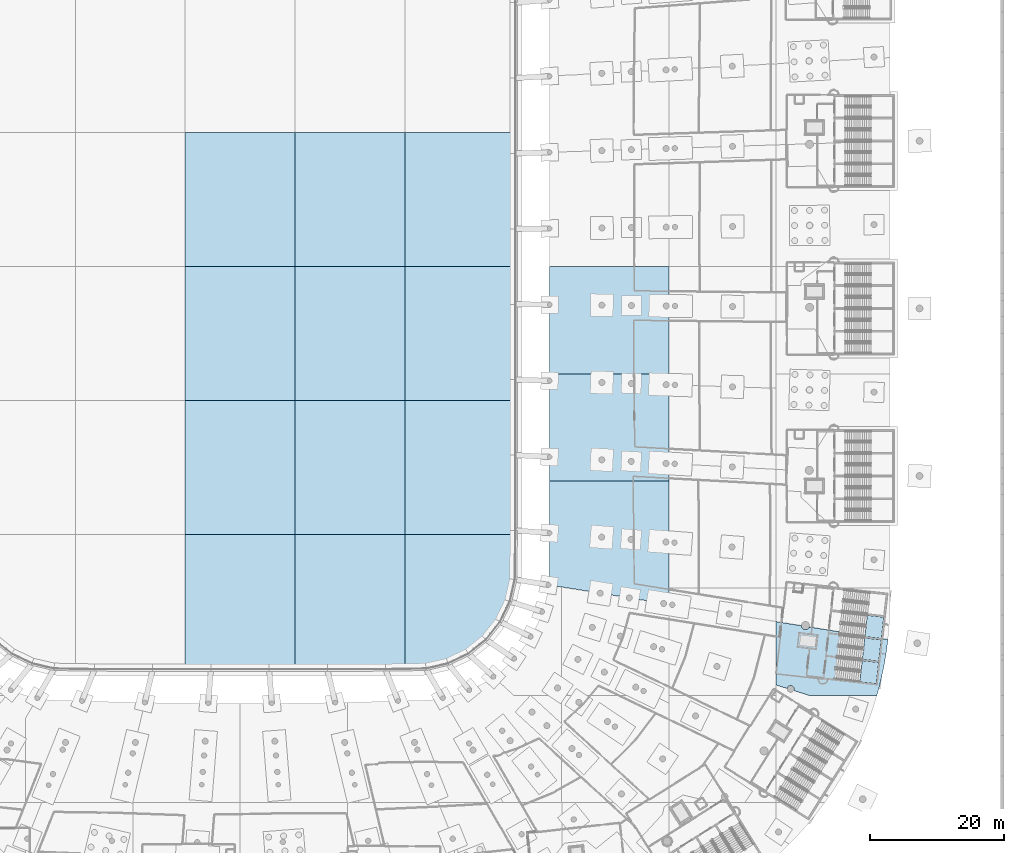
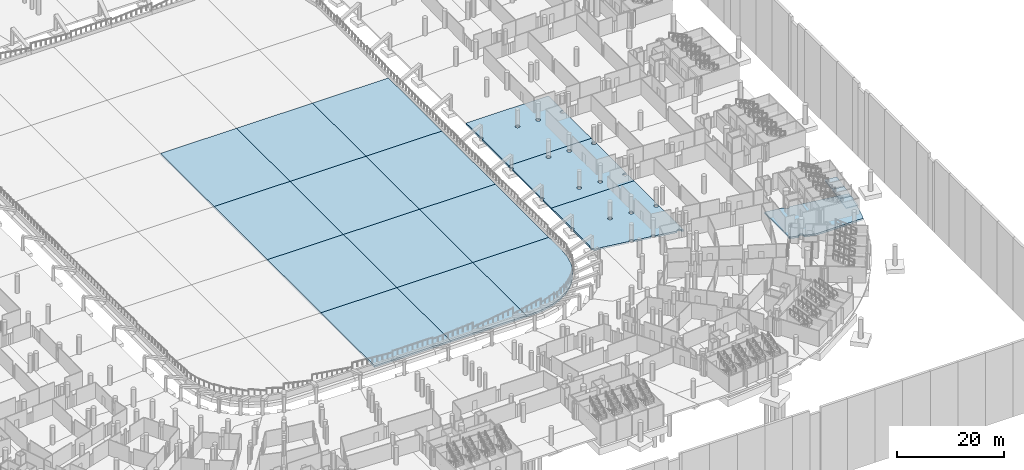
# One storey, part 23 of 142: 19 slabs, 3 elements without a shape of their own.
"""IFC4 building model written with IfcOpenShell, lengths in metres."""

from ifc_helpers import new_model, si_unit, direction, frame, origin, place, context, subcontext, project, spatial, polyline, outline, extrude, material, layer, layer_set, type_object, element, aggregate, save


model = new_model("IFC4")

# Units and contexts
model_context = context("Model", 3, precision=1e-05, world=origin(), true_north=direction((0.0, 1.0)))
body_context = subcontext(model_context, "Body", "Model", "MODEL_VIEW")
ifc_project = project(units=[si_unit("LENGTHUNIT", "METRE"), si_unit("AREAUNIT", "SQUARE_METRE"), si_unit("VOLUMEUNIT", "CUBIC_METRE"), si_unit("PLANEANGLEUNIT", "RADIAN"), si_unit("MASSUNIT", "GRAM", prefix="KILO")], contexts=[model_context])

# Site, building, storey
site_placement = place(None, origin())
site = spatial("IfcSite", under=ifc_project, at=site_placement, CompositionType="ELEMENT")
building_placement = place(site_placement, origin())
building = spatial("IfcBuilding", under=site, at=building_placement, Name="Meseta Stadium", CompositionType="ELEMENT")
storey_placement = place(building_placement, frame((0.0, 0.0, -4.0)))
storey = spatial("IfcBuildingStorey", under=building, at=storey_placement, Name="B1", CompositionType="ELEMENT", Elevation=-4.0)

# Slabs
ifc_material_1 = material(Name="Concrete C30/37", Category="concrete")
ifc_layer_1 = layer(ifc_material_1, 0.39990234375)
ifc_layer_set_1 = layer_set([ifc_layer_1], Name="Base slab 400")
slab_type_1 = type_object("IfcSlabType", Name="Base slab 400", PredefinedType="BASESLAB", material=ifc_layer_set_1)
slab_1_placement = place(storey_placement, frame((0.0, 0.0, -0.39990234375)))
element("IfcSlab", 1, at=slab_1_placement, inside=storey, type_object=slab_type_1, Name="Base slab B1 sector 00 panel 01", PredefinedType="BASESLAB", context=body_context, shape_type="SweptSolid", body=[
    extrude(outline(polyline([(46.51708984375, -28.275146484375), (46.537109375, -28.341064453125), (46.5439453125, -28.40966796875), (46.537109375, -28.478271484375), (46.51708984375, -28.544189453125), (46.484619140625, -28.60498046875), (46.44091796875, -28.658203125), (46.3876953125, -28.7021484375), (46.326904296875, -28.734619140625), (46.2607421875, -28.754638671875), (46.19189453125, -28.76123046875), (46.190185546875, -32.0), (64.0, -32.0), (64.0, -29.482177734375), (63.98388671875, -29.53515625), (63.942138671875, -29.61328125), (63.8857421875, -29.681884765625), (63.8173828125, -29.738037109375), (63.7392578125, -29.77978515625), (63.654296875, -29.8056640625), (63.566162109375, -29.814453125), (63.477783203125, -29.8056640625), (63.39306640625, -29.77978515625), (63.31494140625, -29.738037109375), (63.246337890625, -29.681884765625), (63.190185546875, -29.61328125), (63.1484375, -29.53515625), (63.12255859375, -29.450439453125), (63.114013671875, -29.3623046875), (63.12255859375, -29.27392578125), (63.1484375, -29.189208984375), (63.190185546875, -29.111083984375), (63.246337890625, -29.04248046875), (63.31494140625, -28.986083984375), (63.39306640625, -28.9443359375), (63.477783203125, -28.918701171875), (63.566162109375, -28.909912109375), (63.654296875, -28.918701171875), (63.7392578125, -28.9443359375), (63.8173828125, -28.986083984375), (63.8857421875, -29.04248046875), (63.942138671875, -29.111083984375), (63.98388671875, -29.189208984375), (64.0, -29.2421875), (64.0, -17.801513671875), (63.9638671875, -17.869140625), (63.907470703125, -17.937744140625), (63.839111328125, -17.993896484375), (63.7607421875, -18.035888671875), (63.676025390625, -18.0615234375), (63.587890625, -18.0703125), (63.49951171875, -18.0615234375), (63.414794921875, -18.035888671875), (63.336669921875, -17.993896484375), (63.26806640625, -17.937744140625), (63.2119140625, -17.869140625), (63.169921875, -17.791015625), (63.144287109375, -17.706298828125), (63.135498046875, -17.617919921875), (63.144287109375, -17.52978515625), (63.169921875, -17.445068359375), (63.2119140625, -17.36669921875), (63.26806640625, -17.29833984375), (63.336669921875, -17.241943359375), (63.414794921875, -17.2001953125), (63.49951171875, -17.174560546875), (63.587890625, -17.165771484375), (63.676025390625, -17.174560546875), (63.7607421875, -17.2001953125), (63.839111328125, -17.241943359375), (63.907470703125, -17.29833984375), (63.9638671875, -17.36669921875), (64.0, -17.434814453125), (64.0, -16.0), (46.197509765625, -16.0), (46.197265625, -16.6943359375), (46.265869140625, -16.700927734375), (46.331787109375, -16.720947265625), (46.392578125, -16.75341796875), (46.44580078125, -16.79736328125), (46.489501953125, -16.8505859375), (46.522216796875, -16.911376953125), (46.5419921875, -16.977294921875), (46.548828125, -17.0458984375), (46.5419921875, -17.114501953125), (46.522216796875, -17.180419921875), (46.489501953125, -17.241455078125), (46.44580078125, -17.294677734375), (46.392578125, -17.33837890625), (46.331787109375, -17.370849609375), (46.265869140625, -17.390869140625), (46.197021484375, -17.397705078125), (46.1923828125, -28.05810546875), (46.2607421875, -28.064697265625), (46.326904296875, -28.084716796875), (46.3876953125, -28.1171875), (46.44091796875, -28.160888671875), (46.484619140625, -28.21435546875), (46.51708984375, -28.275146484375)]), holes=[polyline([(53.549560546875, -17.390625), (53.540771484375, -17.302490234375), (53.549560546875, -17.214111328125), (53.5751953125, -17.12939453125), (53.616943359375, -17.05126953125), (53.673095703125, -16.982666015625), (53.74169921875, -16.926513671875), (53.81982421875, -16.884521484375), (53.90478515625, -16.85888671875), (53.992919921875, -16.85009765625), (54.081298828125, -16.85888671875), (54.166015625, -16.884521484375), (54.244140625, -16.926513671875), (54.312744140625, -16.982666015625), (54.368896484375, -17.05126953125), (54.41064453125, -17.12939453125), (54.4365234375, -17.214111328125), (54.445068359375, -17.302490234375), (54.4365234375, -17.390625), (54.41064453125, -17.475341796875), (54.368896484375, -17.5537109375), (54.312744140625, -17.6220703125), (54.244140625, -17.678466796875), (54.166015625, -17.72021484375), (54.081298828125, -17.745849609375), (53.992919921875, -17.754638671875), (53.90478515625, -17.745849609375), (53.81982421875, -17.72021484375), (53.74169921875, -17.678466796875), (53.673095703125, -17.6220703125), (53.616943359375, -17.5537109375), (53.5751953125, -17.475341796875), (53.549560546875, -17.390625)]), polyline([(57.947021484375, -17.535400390625), (57.9384765625, -17.447021484375), (57.947021484375, -17.35888671875), (57.972900390625, -17.27392578125), (58.0146484375, -17.19580078125), (58.07080078125, -17.127197265625), (58.139404296875, -17.071044921875), (58.217529296875, -17.029296875), (58.302490234375, -17.003662109375), (58.390625, -16.994873046875), (58.478759765625, -17.003662109375), (58.563720703125, -17.029296875), (58.641845703125, -17.071044921875), (58.710205078125, -17.127197265625), (58.7666015625, -17.19580078125), (58.808349609375, -17.27392578125), (58.833984375, -17.35888671875), (58.8427734375, -17.447021484375), (58.833984375, -17.535400390625), (58.808349609375, -17.6201171875), (58.7666015625, -17.6982421875), (58.710205078125, -17.766845703125), (58.641845703125, -17.822998046875), (58.563720703125, -17.86474609375), (58.478759765625, -17.890380859375), (58.390625, -17.899169921875), (58.302490234375, -17.890380859375), (58.217529296875, -17.86474609375), (58.139404296875, -17.822998046875), (58.07080078125, -17.766845703125), (58.0146484375, -17.6982421875), (57.972900390625, -17.6201171875), (57.947021484375, -17.535400390625)]), polyline([(53.6044921875, -29.087890625), (53.562744140625, -29.009765625), (53.537109375, -28.9248046875), (53.5283203125, -28.836669921875), (53.537109375, -28.748291015625), (53.562744140625, -28.66357421875), (53.6044921875, -28.58544921875), (53.660888671875, -28.516845703125), (53.729248046875, -28.460693359375), (53.8076171875, -28.4189453125), (53.892333984375, -28.393310546875), (53.98046875, -28.384521484375), (54.068603515625, -28.393310546875), (54.153564453125, -28.4189453125), (54.231689453125, -28.460693359375), (54.30029296875, -28.516845703125), (54.3564453125, -28.58544921875), (54.398193359375, -28.66357421875), (54.424072265625, -28.748291015625), (54.4326171875, -28.836669921875), (54.424072265625, -28.9248046875), (54.398193359375, -29.009765625), (54.3564453125, -29.087890625), (54.30029296875, -29.156494140625), (54.231689453125, -29.212646484375), (54.153564453125, -29.25439453125), (54.068603515625, -29.280029296875), (53.98046875, -29.288818359375), (53.892333984375, -29.280029296875), (53.8076171875, -29.25439453125), (53.729248046875, -29.212646484375), (53.660888671875, -29.156494140625), (53.6044921875, -29.087890625)]), polyline([(57.997802734375, -29.32861328125), (57.956298828125, -29.25048828125), (57.930419921875, -29.165771484375), (57.921630859375, -29.077392578125), (57.930419921875, -28.9892578125), (57.956298828125, -28.904541015625), (57.997802734375, -28.826416015625), (58.05419921875, -28.7578125), (58.122802734375, -28.701416015625), (58.200927734375, -28.659912109375), (58.28564453125, -28.634033203125), (58.373779296875, -28.625244140625), (58.462158203125, -28.634033203125), (58.546875, -28.659912109375), (58.625, -28.701416015625), (58.693603515625, -28.7578125), (58.75, -28.826416015625), (58.791748046875, -28.904541015625), (58.8173828125, -28.9892578125), (58.826171875, -29.077392578125), (58.8173828125, -29.165771484375), (58.791748046875, -29.25048828125), (58.75, -29.32861328125), (58.693603515625, -29.397216796875), (58.625, -29.45361328125), (58.546875, -29.495361328125), (58.462158203125, -29.52099609375), (58.373779296875, -29.52978515625), (58.28564453125, -29.52099609375), (58.200927734375, -29.495361328125), (58.122802734375, -29.45361328125), (58.05419921875, -29.397216796875), (57.997802734375, -29.32861328125)])]), origin(), (0.0, 0.0, 1.0), 0.39990234375),
])
slab_2_placement = place(storey_placement, frame((0.0, 0.0, -0.39990234375)))
element("IfcSlab", 2, at=slab_2_placement, inside=storey, type_object=slab_type_1, Name="Base slab B1 sector 00 panel 02", PredefinedType="BASESLAB", context=body_context, shape_type="SweptSolid", body=[
    extrude(outline(polyline([(46.524658203125, -5.816650390625), (46.4921875, -5.87744140625), (46.448486328125, -5.9306640625), (46.39501953125, -5.974365234375), (46.334228515625, -6.0068359375), (46.268310546875, -6.02685546875), (46.19970703125, -6.03369140625), (46.197509765625, -16.0), (64.0, -16.0), (64.0, -6.076416015625), (63.974609375, -6.1240234375), (63.91845703125, -6.1923828125), (63.849853515625, -6.248779296875), (63.771728515625, -6.29052734375), (63.68701171875, -6.31640625), (63.5986328125, -6.324951171875), (63.510498046875, -6.31640625), (63.425537109375, -6.29052734375), (63.347412109375, -6.248779296875), (63.27880859375, -6.1923828125), (63.22265625, -6.1240234375), (63.180908203125, -6.0458984375), (63.1552734375, -5.9609375), (63.146484375, -5.872802734375), (63.1552734375, -5.78466796875), (63.180908203125, -5.69970703125), (63.22265625, -5.62158203125), (63.27880859375, -5.552978515625), (63.347412109375, -5.496826171875), (63.425537109375, -5.455078125), (63.510498046875, -5.42919921875), (63.5986328125, -5.420654296875), (63.68701171875, -5.42919921875), (63.771728515625, -5.455078125), (63.849853515625, -5.496826171875), (63.91845703125, -5.552978515625), (63.974609375, -5.62158203125), (64.0, -5.669189453125), (64.0, 0.0), (46.199951171875, 0.0), (46.19970703125, -5.330322265625), (46.268310546875, -5.337158203125), (46.334228515625, -5.357177734375), (46.39501953125, -5.3896484375), (46.448486328125, -5.433349609375), (46.4921875, -5.486572265625), (46.524658203125, -5.54736328125), (46.544677734375, -5.61328125), (46.551025390625, -5.685791015625), (46.544677734375, -5.75048828125), (46.524658203125, -5.816650390625)]), holes=[polyline([(53.5556640625, -5.855712890625), (53.547119140625, -5.767578125), (53.5556640625, -5.67919921875), (53.58154296875, -5.594482421875), (53.623291015625, -5.516357421875), (53.679443359375, -5.44775390625), (53.748046875, -5.3916015625), (53.826171875, -5.349853515625), (53.910888671875, -5.323974609375), (53.999267578125, -5.3154296875), (54.08740234375, -5.323974609375), (54.17236328125, -5.349853515625), (54.25048828125, -5.3916015625), (54.319091796875, -5.44775390625), (54.375244140625, -5.516357421875), (54.4169921875, -5.594482421875), (54.442626953125, -5.67919921875), (54.451416015625, -5.767578125), (54.442626953125, -5.855712890625), (54.4169921875, -5.940673828125), (54.375244140625, -6.018798828125), (54.319091796875, -6.08740234375), (54.25048828125, -6.1435546875), (54.17236328125, -6.185302734375), (54.08740234375, -6.2109375), (53.999267578125, -6.2197265625), (53.910888671875, -6.2109375), (53.826171875, -6.185302734375), (53.748046875, -6.1435546875), (53.679443359375, -6.08740234375), (53.623291015625, -6.018798828125), (53.58154296875, -5.940673828125), (53.5556640625, -5.855712890625)]), polyline([(57.95556640625, -5.904052734375), (57.94677734375, -5.81591796875), (57.95556640625, -5.7275390625), (57.981201171875, -5.642578125), (58.02294921875, -5.564697265625), (58.0791015625, -5.49609375), (58.147705078125, -5.439697265625), (58.225830078125, -5.39794921875), (58.310791015625, -5.372314453125), (58.39892578125, -5.363525390625), (58.4873046875, -5.372314453125), (58.572021484375, -5.39794921875), (58.650146484375, -5.439697265625), (58.71875, -5.49609375), (58.77490234375, -5.564697265625), (58.816650390625, -5.642578125), (58.84228515625, -5.7275390625), (58.85107421875, -5.81591796875), (58.84228515625, -5.904052734375), (58.816650390625, -5.98876953125), (58.77490234375, -6.06689453125), (58.71875, -6.135498046875), (58.650146484375, -6.191650390625), (58.572021484375, -6.2333984375), (58.4873046875, -6.25927734375), (58.39892578125, -6.26806640625), (58.310791015625, -6.25927734375), (58.225830078125, -6.2333984375), (58.147705078125, -6.191650390625), (58.0791015625, -6.135498046875), (58.02294921875, -6.06689453125), (57.981201171875, -5.98876953125), (57.95556640625, -5.904052734375)])]), origin(), (0.0, 0.0, 1.0), 0.39990234375),
])
slab_3_placement = place(storey_placement, frame((0.0, 0.0, -0.39990234375)))
element("IfcSlab", 3, at=slab_3_placement, inside=storey, type_object=slab_type_1, Name="Base slab B1 sector 00 panel 05", PredefinedType="BASESLAB", context=body_context, shape_type="SweptSolid", body=[
    extrude(outline(polyline([(46.07568359375, -47.158203125), (46.108154296875, -47.161376953125), (46.174072265625, -47.181396484375), (46.23486328125, -47.2138671875), (46.2880859375, -47.257568359375), (46.331787109375, -47.310791015625), (46.364501953125, -47.37158203125), (46.384521484375, -47.437744140625), (46.39111328125, -47.50634765625), (46.38671875, -47.552001953125), (53.296142578125, -48.664794921875), (53.296875, -48.658203125), (53.322509765625, -48.573486328125), (53.3642578125, -48.495361328125), (53.420654296875, -48.4267578125), (53.489013671875, -48.37060546875), (53.5673828125, -48.328857421875), (53.652099609375, -48.302978515625), (53.740234375, -48.29443359375), (53.82861328125, -48.302978515625), (53.913330078125, -48.328857421875), (53.991455078125, -48.37060546875), (54.06005859375, -48.4267578125), (54.1162109375, -48.495361328125), (54.157958984375, -48.573486328125), (54.183837890625, -48.658203125), (54.1923828125, -48.74658203125), (54.186279296875, -48.808349609375), (57.64013671875, -49.364501953125), (57.640869140625, -49.35791015625), (57.66650390625, -49.273193359375), (57.708251953125, -49.195068359375), (57.7646484375, -49.12646484375), (57.8330078125, -49.0703125), (57.911376953125, -49.0283203125), (57.99609375, -49.002685546875), (58.084228515625, -48.993896484375), (58.172607421875, -49.002685546875), (58.25732421875, -49.0283203125), (58.33544921875, -49.0703125), (58.404052734375, -49.12646484375), (58.460205078125, -49.195068359375), (58.502197265625, -49.273193359375), (58.52783203125, -49.35791015625), (58.53662109375, -49.4462890625), (58.530517578125, -49.5078125), (62.77392578125, -50.19140625), (62.774658203125, -50.184814453125), (62.80029296875, -50.10009765625), (62.84228515625, -50.021728515625), (62.8984375, -49.953369140625), (62.966796875, -49.89697265625), (63.045166015625, -49.855224609375), (63.1298828125, -49.82958984375), (63.21826171875, -49.82080078125), (63.306396484375, -49.82958984375), (63.39111328125, -49.855224609375), (63.469482421875, -49.89697265625), (63.537841796875, -49.953369140625), (63.593994140625, -50.021728515625), (63.635986328125, -50.10009765625), (63.66162109375, -50.184814453125), (63.67041015625, -50.27294921875), (63.664306640625, -50.334716796875), (64.0, -50.388916015625), (64.0, -32.0), (46.190185546875, -32.0), (46.18505859375, -39.42138671875), (46.25341796875, -39.427978515625), (46.3193359375, -39.447998046875), (46.380126953125, -39.48046875), (46.433349609375, -39.5244140625), (46.477294921875, -39.57763671875), (46.509765625, -39.638427734375), (46.52978515625, -39.704345703125), (46.536376953125, -39.77294921875), (46.52978515625, -39.841552734375), (46.509765625, -39.907470703125), (46.477294921875, -39.96826171875), (46.433349609375, -40.021484375), (46.380126953125, -40.0654296875), (46.3193359375, -40.097900390625), (46.25341796875, -40.117919921875), (46.1845703125, -40.12451171875), (46.18017578125, -45.454345703125), (46.1572265625, -46.139892578125), (46.1103515625, -46.82421875), (46.07568359375, -47.158203125)]), holes=[polyline([(53.5859375, -40.62109375), (53.544189453125, -40.54296875), (53.518310546875, -40.4580078125), (53.509765625, -40.369873046875), (53.518310546875, -40.28173828125), (53.544189453125, -40.19677734375), (53.5859375, -40.11865234375), (53.64208984375, -40.050048828125), (53.710693359375, -39.993896484375), (53.788818359375, -39.9521484375), (53.873779296875, -39.926513671875), (53.9619140625, -39.917724609375), (54.050048828125, -39.926513671875), (54.135009765625, -39.9521484375), (54.213134765625, -39.993896484375), (54.281494140625, -40.050048828125), (54.337890625, -40.11865234375), (54.379638671875, -40.19677734375), (54.405517578125, -40.28173828125), (54.4140625, -40.369873046875), (54.405517578125, -40.4580078125), (54.379638671875, -40.54296875), (54.337890625, -40.62109375), (54.281494140625, -40.689697265625), (54.213134765625, -40.745849609375), (54.135009765625, -40.78759765625), (54.050048828125, -40.8134765625), (53.9619140625, -40.822021484375), (53.873779296875, -40.8134765625), (53.788818359375, -40.78759765625), (53.710693359375, -40.745849609375), (53.64208984375, -40.689697265625), (53.5859375, -40.62109375)]), polyline([(57.972900390625, -40.957763671875), (57.93115234375, -40.879638671875), (57.905517578125, -40.794921875), (57.896728515625, -40.70654296875), (57.905517578125, -40.618408203125), (57.93115234375, -40.53369140625), (57.972900390625, -40.455322265625), (58.029296875, -40.386962890625), (58.097900390625, -40.33056640625), (58.17578125, -40.288818359375), (58.2607421875, -40.26318359375), (58.34912109375, -40.25439453125), (58.437255859375, -40.26318359375), (58.52197265625, -40.288818359375), (58.60009765625, -40.33056640625), (58.668701171875, -40.386962890625), (58.724853515625, -40.455322265625), (58.7666015625, -40.53369140625), (58.79248046875, -40.618408203125), (58.801025390625, -40.70654296875), (58.79248046875, -40.794921875), (58.7666015625, -40.879638671875), (58.724853515625, -40.957763671875), (58.668701171875, -41.0263671875), (58.60009765625, -41.08251953125), (58.52197265625, -41.12451171875), (58.437255859375, -41.150146484375), (58.34912109375, -41.15869140625), (58.2607421875, -41.150146484375), (58.17578125, -41.12451171875), (58.097900390625, -41.08251953125), (58.029296875, -41.0263671875), (57.972900390625, -40.957763671875)]), polyline([(63.15771484375, -41.355712890625), (63.115966796875, -41.277587890625), (63.090087890625, -41.19287109375), (63.08154296875, -41.1044921875), (63.090087890625, -41.016357421875), (63.115966796875, -40.931396484375), (63.15771484375, -40.853271484375), (63.214111328125, -40.784912109375), (63.282470703125, -40.728515625), (63.360595703125, -40.686767578125), (63.445556640625, -40.6611328125), (63.53369140625, -40.65234375), (63.621826171875, -40.6611328125), (63.706787109375, -40.686767578125), (63.784912109375, -40.728515625), (63.853515625, -40.784912109375), (63.90966796875, -40.853271484375), (63.951416015625, -40.931396484375), (63.977294921875, -41.016357421875), (63.98583984375, -41.1044921875), (63.977294921875, -41.19287109375), (63.951416015625, -41.277587890625), (63.90966796875, -41.355712890625), (63.853515625, -41.42431640625), (63.784912109375, -41.48046875), (63.706787109375, -41.522216796875), (63.621826171875, -41.548095703125), (63.53369140625, -41.556640625), (63.445556640625, -41.548095703125), (63.360595703125, -41.522216796875), (63.282470703125, -41.48046875), (63.214111328125, -41.42431640625), (63.15771484375, -41.355712890625)])]), origin(), (0.0, 0.0, 1.0), 0.39990234375),
])
slab_4_placement = place(storey_placement, frame((0.0, 0.0, -0.39990234375)))
element("IfcSlab", 4, at=slab_4_placement, inside=storey, type_object=slab_type_1, Name="Base slab B1 sector 49 panel 15", PredefinedType="BASESLAB", context=body_context, shape_type="SweptSolid", body=[
    extrude(outline(polyline([(83.862060546875, -53.900390625), (83.806396484375, -53.796142578125), (83.77197265625, -53.68310546875), (83.76318359375, -53.592041015625), (80.0, -52.98583984375), (80.0, -62.44580078125), (81.673095703125, -62.970458984375), (81.676513671875, -62.935791015625), (81.704833984375, -62.841552734375), (81.75146484375, -62.754638671875), (81.81396484375, -62.678466796875), (81.889892578125, -62.6162109375), (81.976806640625, -62.569580078125), (82.071044921875, -62.541015625), (82.169189453125, -62.531494140625), (82.26708984375, -62.541015625), (82.361328125, -62.569580078125), (82.4482421875, -62.6162109375), (82.5244140625, -62.678466796875), (82.5869140625, -62.754638671875), (82.63330078125, -62.841552734375), (82.661865234375, -62.935791015625), (82.67138671875, -63.03369140625), (82.661865234375, -63.1318359375), (82.63330078125, -63.22607421875), (82.612548828125, -63.264892578125), (84.956787109375, -64.0), (95.03173828125, -64.0), (95.2607421875, -63.20556640625), (95.722900390625, -61.34130859375), (96.114990234375, -59.461181640625), (96.43603515625, -57.5673828125), (96.6845703125, -55.673095703125), (84.925537109375, -53.779296875), (84.92041015625, -53.796142578125), (84.864501953125, -53.900390625), (84.789794921875, -53.99169921875), (84.6982421875, -54.066650390625), (84.593994140625, -54.122314453125), (84.48095703125, -54.15673828125), (84.36328125, -54.168212890625), (84.24560546875, -54.15673828125), (84.132568359375, -54.122314453125), (84.0283203125, -54.066650390625), (83.93701171875, -53.99169921875), (83.862060546875, -53.900390625)])), origin(), (0.0, 0.0, 1.0), 0.39990234375),
])
ifc_material_2 = material(Name="Natural turf on sand and drainage layers")
ifc_layer_2 = layer(ifc_material_2, 0.39990234375)
ifc_layer_set_2 = layer_set([ifc_layer_2], Name="Pitch turf 400")
slab_type_2 = type_object("IfcSlabType", Name="Pitch turf 400", PredefinedType="BASESLAB", material=ifc_layer_set_2)
slab_5_placement = place(storey_placement, frame((0.0, 0.0, -0.39990234375)))
element("IfcSlab", 5, at=slab_5_placement, inside=storey, type_object=slab_type_2, Name="Playing pitch module 02", PredefinedType="BASESLAB", context=body_context, shape_type="SweptSolid", body=[
    extrude(outline(polyline([(-8.196044921875, -59.97998046875), (8.196044921875, -59.97998046875), (8.196044921875, -39.98681640625), (-8.196044921875, -39.98681640625), (-8.196044921875, -59.97998046875)])), origin(), (0.0, 0.0, 1.0), 0.39990234375),
])
slab_6_placement = place(storey_placement, frame((0.0, 0.0, -0.39990234375)))
element("IfcSlab", 6, at=slab_6_placement, inside=storey, type_object=slab_type_2, Name="Playing pitch module 03", PredefinedType="BASESLAB", context=body_context, shape_type="SweptSolid", body=[
    extrude(outline(polyline([(8.196044921875, -59.97998046875), (24.587890625, -59.97998046875), (24.587890625, -39.98681640625), (8.196044921875, -39.98681640625), (8.196044921875, -59.97998046875)])), origin(), (0.0, 0.0, 1.0), 0.39990234375),
])
slab_7_placement = place(storey_placement, frame((0.0, 0.0, -0.39990234375)))
element("IfcSlab", 7, at=slab_7_placement, inside=storey, type_object=slab_type_2, Name="Playing pitch module 05", PredefinedType="BASESLAB", context=body_context, shape_type="SweptSolid", body=[
    extrude(outline(polyline([(40.97998046875, -39.98681640625), (24.587890625, -39.98681640625), (24.587890625, -59.97998046875), (25.999267578125, -59.97998046875), (28.343505859375, -59.79541015625), (30.629150390625, -59.246826171875), (32.80078125, -58.34716796875), (34.804931640625, -57.118896484375), (36.59228515625, -55.59228515625), (38.118896484375, -53.804931640625), (39.34716796875, -51.80078125), (40.246826171875, -49.629150390625), (40.79541015625, -47.343505859375), (40.97998046875, -44.999267578125), (40.97998046875, -39.98681640625)])), origin(), (0.0, 0.0, 1.0), 0.39990234375),
])
slab_8_placement = place(storey_placement, frame((0.0, 0.0, -0.39990234375)))
element("IfcSlab", 8, at=slab_8_placement, inside=storey, type_object=slab_type_2, Name="Playing pitch module 08", PredefinedType="BASESLAB", context=body_context, shape_type="SweptSolid", body=[
    extrude(outline(polyline([(8.196044921875, -39.98681640625), (8.196044921875, -19.993408203125), (-8.196044921875, -19.993408203125), (-8.196044921875, -39.98681640625), (8.196044921875, -39.98681640625)])), origin(), (0.0, 0.0, 1.0), 0.39990234375),
])
slab_9_placement = place(storey_placement, frame((0.0, 0.0, -0.39990234375)))
element("IfcSlab", 9, at=slab_9_placement, inside=storey, type_object=slab_type_2, Name="Playing pitch module 09", PredefinedType="BASESLAB", context=body_context, shape_type="SweptSolid", body=[
    extrude(outline(polyline([(24.587890625, -39.98681640625), (24.587890625, -19.993408203125), (8.196044921875, -19.993408203125), (8.196044921875, -39.98681640625), (24.587890625, -39.98681640625)])), origin(), (0.0, 0.0, 1.0), 0.39990234375),
])
slab_10_placement = place(storey_placement, frame((0.0, 0.0, -0.39990234375)))
element("IfcSlab", 10, at=slab_10_placement, inside=storey, type_object=slab_type_2, Name="Playing pitch module 10", PredefinedType="BASESLAB", context=body_context, shape_type="SweptSolid", body=[
    extrude(outline(polyline([(40.97998046875, -19.993408203125), (24.587890625, -19.993408203125), (24.587890625, -39.98681640625), (40.97998046875, -39.98681640625), (40.97998046875, -19.993408203125)])), origin(), (0.0, 0.0, 1.0), 0.39990234375),
])
slab_11_placement = place(storey_placement, frame((0.0, 0.0, -0.39990234375)))
element("IfcSlab", 11, at=slab_11_placement, inside=storey, type_object=slab_type_2, Name="Playing pitch module 13", PredefinedType="BASESLAB", context=body_context, shape_type="SweptSolid", body=[
    extrude(outline(polyline([(8.196044921875, -19.993408203125), (8.196044921875, 0.0), (-8.196044921875, 0.0), (-8.196044921875, -19.993408203125), (8.196044921875, -19.993408203125)])), origin(), (0.0, 0.0, 1.0), 0.39990234375),
])
slab_12_placement = place(storey_placement, frame((0.0, 0.0, -0.39990234375)))
element("IfcSlab", 12, at=slab_12_placement, inside=storey, type_object=slab_type_2, Name="Playing pitch module 14", PredefinedType="BASESLAB", context=body_context, shape_type="SweptSolid", body=[
    extrude(outline(polyline([(24.587890625, -19.993408203125), (24.587890625, 0.0), (8.196044921875, 0.0), (8.196044921875, -19.993408203125), (24.587890625, -19.993408203125)])), origin(), (0.0, 0.0, 1.0), 0.39990234375),
])
slab_13_placement = place(storey_placement, frame((0.0, 0.0, -0.39990234375)))
element("IfcSlab", 13, at=slab_13_placement, inside=storey, type_object=slab_type_2, Name="Playing pitch module 15", PredefinedType="BASESLAB", context=body_context, shape_type="SweptSolid", body=[
    extrude(outline(polyline([(40.97998046875, 0.0), (24.587890625, 0.0), (24.587890625, -19.993408203125), (40.97998046875, -19.993408203125), (40.97998046875, 0.0)])), origin(), (0.0, 0.0, 1.0), 0.39990234375),
])
slab_14_placement = place(storey_placement, frame((0.0, 0.0, -0.39990234375)))
element("IfcSlab", 14, at=slab_14_placement, inside=storey, type_object=slab_type_2, Name="Playing pitch module 18", PredefinedType="BASESLAB", context=body_context, shape_type="SweptSolid", body=[
    extrude(outline(polyline([(8.196044921875, 0.0), (8.196044921875, 19.993408203125), (-8.196044921875, 19.993408203125), (-8.196044921875, 0.0), (8.196044921875, 0.0)])), origin(), (0.0, 0.0, 1.0), 0.39990234375),
])
slab_15_placement = place(storey_placement, frame((0.0, 0.0, -0.39990234375)))
element("IfcSlab", 15, at=slab_15_placement, inside=storey, type_object=slab_type_2, Name="Playing pitch module 19", PredefinedType="BASESLAB", context=body_context, shape_type="SweptSolid", body=[
    extrude(outline(polyline([(24.587890625, 0.0), (24.587890625, 19.993408203125), (8.196044921875, 19.993408203125), (8.196044921875, 0.0), (24.587890625, 0.0)])), origin(), (0.0, 0.0, 1.0), 0.39990234375),
])
slab_16_placement = place(storey_placement, frame((0.0, 0.0, -0.39990234375)))
element("IfcSlab", 16, at=slab_16_placement, inside=storey, type_object=slab_type_2, Name="Playing pitch module 20", PredefinedType="BASESLAB", context=body_context, shape_type="SweptSolid", body=[
    extrude(outline(polyline([(40.97998046875, 19.993408203125), (24.587890625, 19.993408203125), (24.587890625, 0.0), (40.97998046875, 0.0), (40.97998046875, 19.993408203125)])), origin(), (0.0, 0.0, 1.0), 0.39990234375),
])

# Stair, slab
ifc_material_3 = material(Name="Concrete C40/50", Category="concrete")
stair_type = type_object("IfcStairType", Name="Exit stair 2 flights 154 mm risers", PredefinedType="HALF_TURN_STAIR", material=ifc_material_3)
stair_1_placement = place(storey_placement, origin())
stair_1 = element("IfcStair", 17, at=stair_1_placement, inside=storey, type_object=stair_type, Name="ST1 B1", PredefinedType="HALF_TURN_STAIR")
ifc_material_4 = material(Name="Concrete C40/50", Category="concrete")
ifc_layer_3 = layer(ifc_material_4, 0.199951171875)
ifc_layer_set_3 = layer_set([ifc_layer_3], Name="Stair landing 200")
slab_type_3 = type_object("IfcSlabType", Name="Stair landing 200", PredefinedType="LANDING", material=ifc_layer_set_3)
slab_17_placement = place(storey_placement, frame((0.0, 0.0, 1.800048828125)))
slab_17 = element("IfcSlab", 18, at=slab_17_placement, type_object=slab_type_3, Name="ST1 B1 landing 1", PredefinedType="LANDING", context=body_context, shape_type="SweptSolid", body=[
    extrude(outline(polyline([(92.48095703125, -61.9794921875), (94.935546875, -62.256103515625), (95.293701171875, -59.076171875), (92.83935546875, -58.799560546875), (92.48095703125, -61.9794921875)])), origin(), (0.0, 0.0, 1.0), 0.199951171875),
])
aggregate(stair_1, [slab_17])

stair_2_placement = place(storey_placement, origin())
stair_2 = element("IfcStair", 19, at=stair_2_placement, inside=storey, type_object=stair_type, Name="ST2 B1", PredefinedType="HALF_TURN_STAIR")
slab_18_placement = place(storey_placement, frame((0.0, 0.0, 1.800048828125)))
slab_18 = element("IfcSlab", 20, at=slab_18_placement, type_object=slab_type_3, Name="ST2 B1 landing 1", PredefinedType="LANDING", context=body_context, shape_type="SweptSolid", body=[
    extrude(outline(polyline([(92.861572265625, -58.600830078125), (95.316162109375, -58.87744140625), (95.67431640625, -55.697509765625), (93.219970703125, -55.421142578125), (92.861572265625, -58.600830078125)])), origin(), (0.0, 0.0, 1.0), 0.199951171875),
])
aggregate(stair_2, [slab_18])

stair_3_placement = place(storey_placement, origin())
stair_3 = element("IfcStair", 21, at=stair_3_placement, inside=storey, type_object=stair_type, Name="ST3 B1", PredefinedType="HALF_TURN_STAIR")
slab_19_placement = place(storey_placement, frame((0.0, 0.0, 1.800048828125)))
slab_19 = element("IfcSlab", 22, at=slab_19_placement, type_object=slab_type_3, Name="ST3 B1 landing 1", PredefinedType="LANDING", context=body_context, shape_type="SweptSolid", body=[
    extrude(outline(polyline([(93.242431640625, -55.222412109375), (95.69677734375, -55.498779296875), (96.05517578125, -52.319091796875), (93.6005859375, -52.04248046875), (93.242431640625, -55.222412109375)])), origin(), (0.0, 0.0, 1.0), 0.199951171875),
])
aggregate(stair_3, [slab_19])

save(model, "model.ifc")
